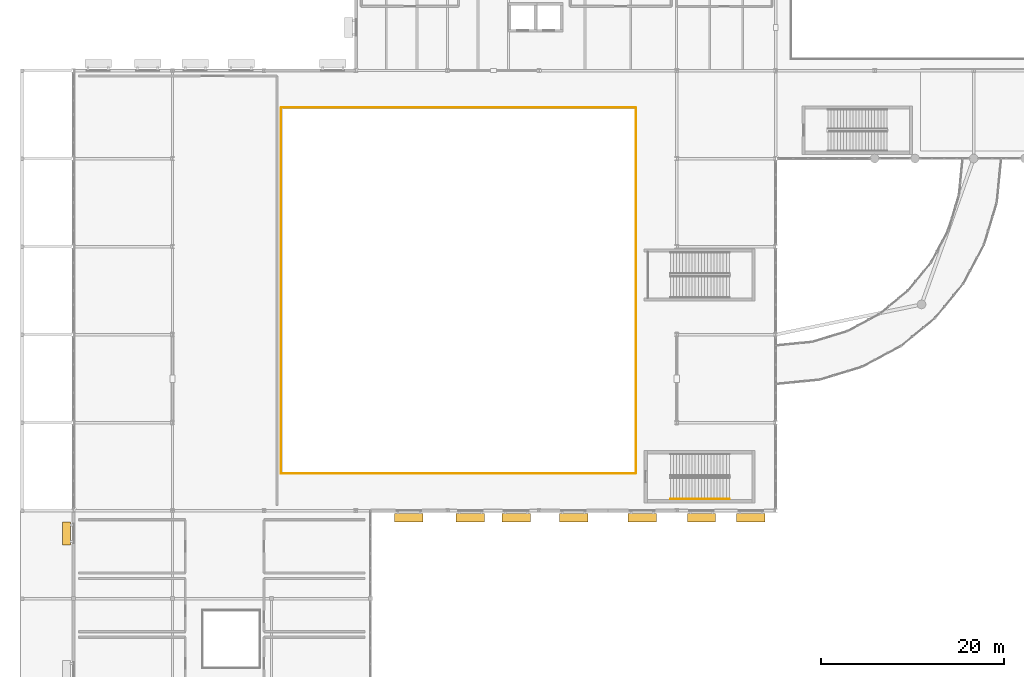
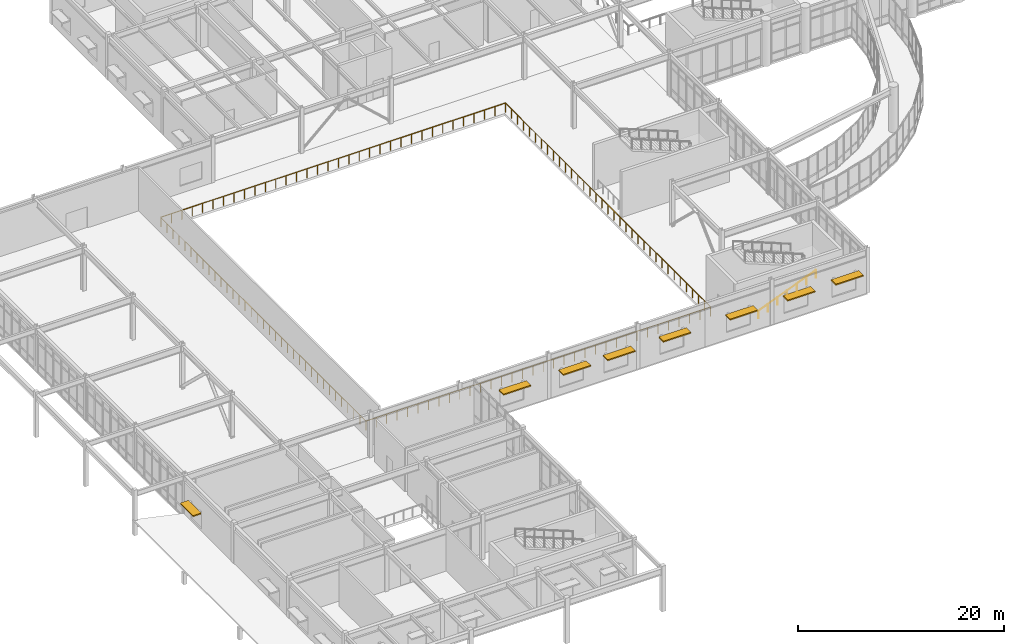
# One storey, part 63 of 72: 8 shading devices, 3 railings.
"""IFC4 building model written with IfcOpenShell, lengths in metres."""

from ifc_helpers import new_model, si_unit, direction, frame, origin, origin_2d, place, context, subcontext, project, spatial, rectangle, circle, extrude, material, type_object, element, save


model = new_model("IFC4")

# Units and contexts
model_context = context("Model", 3, precision=1e-05, world=origin(), true_north=direction((0.0, 1.0)))
body_context = subcontext(model_context, "Body", "Model", "MODEL_VIEW")
ifc_project = project(units=[si_unit("LENGTHUNIT", "METRE"), si_unit("AREAUNIT", "SQUARE_METRE"), si_unit("VOLUMEUNIT", "CUBIC_METRE"), si_unit("PLANEANGLEUNIT", "RADIAN"), si_unit("MASSUNIT", "GRAM", prefix="KILO")], contexts=[model_context])

# Site, building, storey
site_placement = place(None, origin())
site = spatial("IfcSite", under=ifc_project, at=site_placement, CompositionType="ELEMENT")
building_placement = place(site_placement, origin())
building = spatial("IfcBuilding", under=site, at=building_placement, Name="Veldera Park Congress Hotel", CompositionType="ELEMENT")
storey_placement = place(building_placement, frame((0.0, 0.0, 5.39990234375)))
storey = spatial("IfcBuildingStorey", under=building, at=storey_placement, Name="L01", CompositionType="ELEMENT", Elevation=5.39990234375)

# Railings
ifc_material_1 = material(Name="Steel ASTM A992 Gr.50", Category="steel")
railing_type_1 = type_object("IfcRailingType", Name="GRD-INT112", PredefinedType="GUARDRAIL", material=ifc_material_1)
railing_1_placement = place(storey_placement, frame((-55.550048828125, 22.909912109375, 0.0)))
element("IfcRailing", 1, at=railing_1_placement, inside=storey, type_object=railing_type_1, Name="L01 Atrium Void Guard GRD3-VOID-L01-V1-SW", PredefinedType="GUARDRAIL", context=body_context, shape_type="SweptSolid", body=[
    extrude(circle(Radius=0.02392578125, at=origin_2d()), frame((0.0, 0.0, 1.09619140625), z_axis=(0.0, -1.0, 0.0), x_axis=(1.0, 0.0, 0.0)), (0.0, 0.0, 1.0), 39.85986328125),
    extrude(circle(Radius=0.02392578125, at=origin_2d()), frame((0.0, -39.85986328125, 1.09619140625), z_axis=(1.0, 0.0, 0.0), x_axis=(0.0, 1.0, 0.0)), (0.0, 0.0, 1.0), 38.66015625),
    extrude(circle(Radius=0.02099609375, at=origin_2d()), origin(), (0.0, 0.0, 1.0), 1.072021484375),
    extrude(circle(Radius=0.02099609375, at=origin_2d()), frame((0.0, -1.17236328125, 0.0)), (0.0, 0.0, 1.0), 1.072021484375),
    extrude(circle(Radius=0.02099609375, at=origin_2d()), frame((0.0, -2.3447265625, 0.0)), (0.0, 0.0, 1.0), 1.072021484375),
    extrude(circle(Radius=0.02099609375, at=origin_2d()), frame((0.0, -3.51708984375, 0.0)), (0.0, 0.0, 1.0), 1.072021484375),
    extrude(circle(Radius=0.02099609375, at=origin_2d()), frame((0.0, -4.689453125, 0.0)), (0.0, 0.0, 1.0), 1.072021484375),
    extrude(circle(Radius=0.02099609375, at=origin_2d()), frame((0.0, -5.86181640625, 0.0)), (0.0, 0.0, 1.0), 1.072021484375),
    extrude(circle(Radius=0.02099609375, at=origin_2d()), frame((0.0, -7.0341796875, 0.0)), (0.0, 0.0, 1.0), 1.072021484375),
    extrude(circle(Radius=0.02099609375, at=origin_2d()), frame((0.0, -8.20654296875, 0.0)), (0.0, 0.0, 1.0), 1.072021484375),
    extrude(circle(Radius=0.02099609375, at=origin_2d()), frame((0.0, -9.37890625, 0.0)), (0.0, 0.0, 1.0), 1.072021484375),
    extrude(circle(Radius=0.02099609375, at=origin_2d()), frame((0.0, -10.551025390625, 0.0)), (0.0, 0.0, 1.0), 1.072021484375),
    extrude(circle(Radius=0.02099609375, at=origin_2d()), frame((0.0, -11.723388671875, 0.0)), (0.0, 0.0, 1.0), 1.072021484375),
    extrude(circle(Radius=0.02099609375, at=origin_2d()), frame((0.0, -12.895751953125, 0.0)), (0.0, 0.0, 1.0), 1.072021484375),
    extrude(circle(Radius=0.02099609375, at=origin_2d()), frame((0.0, -14.068115234375, 0.0)), (0.0, 0.0, 1.0), 1.072021484375),
    extrude(circle(Radius=0.02099609375, at=origin_2d()), frame((0.0, -15.240478515625, 0.0)), (0.0, 0.0, 1.0), 1.072021484375),
    extrude(circle(Radius=0.02099609375, at=origin_2d()), frame((0.0, -16.412841796875, 0.0)), (0.0, 0.0, 1.0), 1.072021484375),
    extrude(circle(Radius=0.02099609375, at=origin_2d()), frame((0.0, -17.585205078125, 0.0)), (0.0, 0.0, 1.0), 1.072021484375),
    extrude(circle(Radius=0.02099609375, at=origin_2d()), frame((0.0, -18.757568359375, 0.0)), (0.0, 0.0, 1.0), 1.072021484375),
    extrude(circle(Radius=0.02099609375, at=origin_2d()), frame((0.0, -19.929931640625, 0.0)), (0.0, 0.0, 1.0), 1.072021484375),
    extrude(circle(Radius=0.02099609375, at=origin_2d()), frame((0.0, -21.102294921875, 0.0)), (0.0, 0.0, 1.0), 1.072021484375),
    extrude(circle(Radius=0.02099609375, at=origin_2d()), frame((0.0, -22.274658203125, 0.0)), (0.0, 0.0, 1.0), 1.072021484375),
    extrude(circle(Radius=0.02099609375, at=origin_2d()), frame((0.0, -23.447021484375, 0.0)), (0.0, 0.0, 1.0), 1.072021484375),
    extrude(circle(Radius=0.02099609375, at=origin_2d()), frame((0.0, -24.619384765625, 0.0)), (0.0, 0.0, 1.0), 1.072021484375),
    extrude(circle(Radius=0.02099609375, at=origin_2d()), frame((0.0, -25.791748046875, 0.0)), (0.0, 0.0, 1.0), 1.072021484375),
    extrude(circle(Radius=0.02099609375, at=origin_2d()), frame((0.0, -26.964111328125, 0.0)), (0.0, 0.0, 1.0), 1.072021484375),
    extrude(circle(Radius=0.02099609375, at=origin_2d()), frame((0.0, -28.136474609375, 0.0)), (0.0, 0.0, 1.0), 1.072021484375),
    extrude(circle(Radius=0.02099609375, at=origin_2d()), frame((0.0, -29.308837890625, 0.0)), (0.0, 0.0, 1.0), 1.072021484375),
    extrude(circle(Radius=0.02099609375, at=origin_2d()), frame((0.0, -30.48095703125, 0.0)), (0.0, 0.0, 1.0), 1.072021484375),
    extrude(circle(Radius=0.02099609375, at=origin_2d()), frame((0.0, -31.6533203125, 0.0)), (0.0, 0.0, 1.0), 1.072021484375),
    extrude(circle(Radius=0.02099609375, at=origin_2d()), frame((0.0, -32.82568359375, 0.0)), (0.0, 0.0, 1.0), 1.072021484375),
    extrude(circle(Radius=0.02099609375, at=origin_2d()), frame((0.0, -33.998046875, 0.0)), (0.0, 0.0, 1.0), 1.072021484375),
    extrude(circle(Radius=0.02099609375, at=origin_2d()), frame((0.0, -35.17041015625, 0.0)), (0.0, 0.0, 1.0), 1.072021484375),
    extrude(circle(Radius=0.02099609375, at=origin_2d()), frame((0.0, -36.3427734375, 0.0)), (0.0, 0.0, 1.0), 1.072021484375),
    extrude(circle(Radius=0.02099609375, at=origin_2d()), frame((0.0, -37.51513671875, 0.0)), (0.0, 0.0, 1.0), 1.072021484375),
    extrude(circle(Radius=0.02099609375, at=origin_2d()), frame((0.0, -38.6875, 0.0)), (0.0, 0.0, 1.0), 1.072021484375),
    extrude(circle(Radius=0.02099609375, at=origin_2d()), frame((0.0, -39.85986328125, 0.0)), (0.0, 0.0, 1.0), 1.072021484375),
    extrude(circle(Radius=0.02099609375, at=origin_2d()), frame((1.171630859375, -39.85986328125, 0.0)), (0.0, 0.0, 1.0), 1.072021484375),
    extrude(circle(Radius=0.02099609375, at=origin_2d()), frame((2.343017578125, -39.85986328125, 0.0)), (0.0, 0.0, 1.0), 1.072021484375),
    extrude(circle(Radius=0.02099609375, at=origin_2d()), frame((3.5146484375, -39.85986328125, 0.0)), (0.0, 0.0, 1.0), 1.072021484375),
    extrude(circle(Radius=0.02099609375, at=origin_2d()), frame((4.68603515625, -39.85986328125, 0.0)), (0.0, 0.0, 1.0), 1.072021484375),
    extrude(circle(Radius=0.02099609375, at=origin_2d()), frame((5.857666015625, -39.85986328125, 0.0)), (0.0, 0.0, 1.0), 1.072021484375),
    extrude(circle(Radius=0.02099609375, at=origin_2d()), frame((7.029052734375, -39.85986328125, 0.0)), (0.0, 0.0, 1.0), 1.072021484375),
    extrude(circle(Radius=0.02099609375, at=origin_2d()), frame((8.20068359375, -39.85986328125, 0.0)), (0.0, 0.0, 1.0), 1.072021484375),
    extrude(circle(Radius=0.02099609375, at=origin_2d()), frame((9.3720703125, -39.85986328125, 0.0)), (0.0, 0.0, 1.0), 1.072021484375),
    extrude(circle(Radius=0.02099609375, at=origin_2d()), frame((10.543701171875, -39.85986328125, 0.0)), (0.0, 0.0, 1.0), 1.072021484375),
    extrude(circle(Radius=0.02099609375, at=origin_2d()), frame((11.715087890625, -39.85986328125, 0.0)), (0.0, 0.0, 1.0), 1.072021484375),
    extrude(circle(Radius=0.02099609375, at=origin_2d()), frame((12.88671875, -39.85986328125, 0.0)), (0.0, 0.0, 1.0), 1.072021484375),
    extrude(circle(Radius=0.02099609375, at=origin_2d()), frame((14.058349609375, -39.85986328125, 0.0)), (0.0, 0.0, 1.0), 1.072021484375),
    extrude(circle(Radius=0.02099609375, at=origin_2d()), frame((15.229736328125, -39.85986328125, 0.0)), (0.0, 0.0, 1.0), 1.072021484375),
    extrude(circle(Radius=0.02099609375, at=origin_2d()), frame((16.4013671875, -39.85986328125, 0.0)), (0.0, 0.0, 1.0), 1.072021484375),
    extrude(circle(Radius=0.02099609375, at=origin_2d()), frame((17.57275390625, -39.85986328125, 0.0)), (0.0, 0.0, 1.0), 1.072021484375),
    extrude(circle(Radius=0.02099609375, at=origin_2d()), frame((18.744384765625, -39.85986328125, 0.0)), (0.0, 0.0, 1.0), 1.072021484375),
    extrude(circle(Radius=0.02099609375, at=origin_2d()), frame((19.915771484375, -39.85986328125, 0.0)), (0.0, 0.0, 1.0), 1.072021484375),
    extrude(circle(Radius=0.02099609375, at=origin_2d()), frame((21.08740234375, -39.85986328125, 0.0)), (0.0, 0.0, 1.0), 1.072021484375),
    extrude(circle(Radius=0.02099609375, at=origin_2d()), frame((22.2587890625, -39.85986328125, 0.0)), (0.0, 0.0, 1.0), 1.072021484375),
    extrude(circle(Radius=0.02099609375, at=origin_2d()), frame((23.430419921875, -39.85986328125, 0.0)), (0.0, 0.0, 1.0), 1.072021484375),
    extrude(circle(Radius=0.02099609375, at=origin_2d()), frame((24.601806640625, -39.85986328125, 0.0)), (0.0, 0.0, 1.0), 1.072021484375),
    extrude(circle(Radius=0.02099609375, at=origin_2d()), frame((25.7734375, -39.85986328125, 0.0)), (0.0, 0.0, 1.0), 1.072021484375),
    extrude(circle(Radius=0.02099609375, at=origin_2d()), frame((26.945068359375, -39.85986328125, 0.0)), (0.0, 0.0, 1.0), 1.072021484375),
    extrude(circle(Radius=0.02099609375, at=origin_2d()), frame((28.116455078125, -39.85986328125, 0.0)), (0.0, 0.0, 1.0), 1.072021484375),
    extrude(circle(Radius=0.02099609375, at=origin_2d()), frame((29.2880859375, -39.85986328125, 0.0)), (0.0, 0.0, 1.0), 1.072021484375),
    extrude(circle(Radius=0.02099609375, at=origin_2d()), frame((30.45947265625, -39.85986328125, 0.0)), (0.0, 0.0, 1.0), 1.072021484375),
    extrude(circle(Radius=0.02099609375, at=origin_2d()), frame((31.631103515625, -39.85986328125, 0.0)), (0.0, 0.0, 1.0), 1.072021484375),
    extrude(circle(Radius=0.02099609375, at=origin_2d()), frame((32.802490234375, -39.85986328125, 0.0)), (0.0, 0.0, 1.0), 1.072021484375),
    extrude(circle(Radius=0.02099609375, at=origin_2d()), frame((33.97412109375, -39.85986328125, 0.0)), (0.0, 0.0, 1.0), 1.072021484375),
    extrude(circle(Radius=0.02099609375, at=origin_2d()), frame((35.1455078125, -39.85986328125, 0.0)), (0.0, 0.0, 1.0), 1.072021484375),
    extrude(circle(Radius=0.02099609375, at=origin_2d()), frame((36.317138671875, -39.85986328125, 0.0)), (0.0, 0.0, 1.0), 1.072021484375),
    extrude(circle(Radius=0.02099609375, at=origin_2d()), frame((37.488525390625, -39.85986328125, 0.0)), (0.0, 0.0, 1.0), 1.072021484375),
    extrude(circle(Radius=0.02099609375, at=origin_2d()), frame((38.66015625, -39.85986328125, 0.0)), (0.0, 0.0, 1.0), 1.072021484375),
])
railing_2_placement = place(storey_placement, frame((-16.85009765625, -16.909912109375, 0.0)))
element("IfcRailing", 2, at=railing_2_placement, inside=storey, type_object=railing_type_1, Name="L01 Atrium Void Guard GRD3-VOID-L01-V1-NE", PredefinedType="GUARDRAIL", context=body_context, shape_type="SweptSolid", body=[
    extrude(circle(Radius=0.02392578125, at=origin_2d()), frame((0.0, 0.0, 1.09619140625), z_axis=(0.0, 1.0, 0.0), x_axis=(-1.0, 0.0, 0.0)), (0.0, 0.0, 1.0), 39.85986328125),
    extrude(circle(Radius=0.02392578125, at=origin_2d()), frame((0.0, 39.85986328125, 1.09619140625), z_axis=(-1.0, 0.0, 0.0), x_axis=(0.0, -1.0, 0.0)), (0.0, 0.0, 1.0), 38.659912109375),
    extrude(circle(Radius=0.02099609375, at=origin_2d()), origin(), (0.0, 0.0, 1.0), 1.072021484375),
    extrude(circle(Radius=0.02099609375, at=origin_2d()), frame((0.0, 1.17236328125, 0.0)), (0.0, 0.0, 1.0), 1.072021484375),
    extrude(circle(Radius=0.02099609375, at=origin_2d()), frame((0.0, 2.3447265625, 0.0)), (0.0, 0.0, 1.0), 1.072021484375),
    extrude(circle(Radius=0.02099609375, at=origin_2d()), frame((0.0, 3.51708984375, 0.0)), (0.0, 0.0, 1.0), 1.072021484375),
    extrude(circle(Radius=0.02099609375, at=origin_2d()), frame((0.0, 4.689453125, 0.0)), (0.0, 0.0, 1.0), 1.072021484375),
    extrude(circle(Radius=0.02099609375, at=origin_2d()), frame((0.0, 5.86181640625, 0.0)), (0.0, 0.0, 1.0), 1.072021484375),
    extrude(circle(Radius=0.02099609375, at=origin_2d()), frame((0.0, 7.0341796875, 0.0)), (0.0, 0.0, 1.0), 1.072021484375),
    extrude(circle(Radius=0.02099609375, at=origin_2d()), frame((0.0, 8.20654296875, 0.0)), (0.0, 0.0, 1.0), 1.072021484375),
    extrude(circle(Radius=0.02099609375, at=origin_2d()), frame((0.0, 9.37890625, 0.0)), (0.0, 0.0, 1.0), 1.072021484375),
    extrude(circle(Radius=0.02099609375, at=origin_2d()), frame((0.0, 10.551025390625, 0.0)), (0.0, 0.0, 1.0), 1.072021484375),
    extrude(circle(Radius=0.02099609375, at=origin_2d()), frame((0.0, 11.723388671875, 0.0)), (0.0, 0.0, 1.0), 1.072021484375),
    extrude(circle(Radius=0.02099609375, at=origin_2d()), frame((0.0, 12.895751953125, 0.0)), (0.0, 0.0, 1.0), 1.072021484375),
    extrude(circle(Radius=0.02099609375, at=origin_2d()), frame((0.0, 14.068115234375, 0.0)), (0.0, 0.0, 1.0), 1.072021484375),
    extrude(circle(Radius=0.02099609375, at=origin_2d()), frame((0.0, 15.240478515625, 0.0)), (0.0, 0.0, 1.0), 1.072021484375),
    extrude(circle(Radius=0.02099609375, at=origin_2d()), frame((0.0, 16.412841796875, 0.0)), (0.0, 0.0, 1.0), 1.072021484375),
    extrude(circle(Radius=0.02099609375, at=origin_2d()), frame((0.0, 17.585205078125, 0.0)), (0.0, 0.0, 1.0), 1.072021484375),
    extrude(circle(Radius=0.02099609375, at=origin_2d()), frame((0.0, 18.757568359375, 0.0)), (0.0, 0.0, 1.0), 1.072021484375),
    extrude(circle(Radius=0.02099609375, at=origin_2d()), frame((0.0, 19.929931640625, 0.0)), (0.0, 0.0, 1.0), 1.072021484375),
    extrude(circle(Radius=0.02099609375, at=origin_2d()), frame((0.0, 21.102294921875, 0.0)), (0.0, 0.0, 1.0), 1.072021484375),
    extrude(circle(Radius=0.02099609375, at=origin_2d()), frame((0.0, 22.274658203125, 0.0)), (0.0, 0.0, 1.0), 1.072021484375),
    extrude(circle(Radius=0.02099609375, at=origin_2d()), frame((0.0, 23.447021484375, 0.0)), (0.0, 0.0, 1.0), 1.072021484375),
    extrude(circle(Radius=0.02099609375, at=origin_2d()), frame((0.0, 24.619384765625, 0.0)), (0.0, 0.0, 1.0), 1.072021484375),
    extrude(circle(Radius=0.02099609375, at=origin_2d()), frame((0.0, 25.791748046875, 0.0)), (0.0, 0.0, 1.0), 1.072021484375),
    extrude(circle(Radius=0.02099609375, at=origin_2d()), frame((0.0, 26.964111328125, 0.0)), (0.0, 0.0, 1.0), 1.072021484375),
    extrude(circle(Radius=0.02099609375, at=origin_2d()), frame((0.0, 28.136474609375, 0.0)), (0.0, 0.0, 1.0), 1.072021484375),
    extrude(circle(Radius=0.02099609375, at=origin_2d()), frame((0.0, 29.308837890625, 0.0)), (0.0, 0.0, 1.0), 1.072021484375),
    extrude(circle(Radius=0.02099609375, at=origin_2d()), frame((0.0, 30.48095703125, 0.0)), (0.0, 0.0, 1.0), 1.072021484375),
    extrude(circle(Radius=0.02099609375, at=origin_2d()), frame((0.0, 31.6533203125, 0.0)), (0.0, 0.0, 1.0), 1.072021484375),
    extrude(circle(Radius=0.02099609375, at=origin_2d()), frame((0.0, 32.82568359375, 0.0)), (0.0, 0.0, 1.0), 1.072021484375),
    extrude(circle(Radius=0.02099609375, at=origin_2d()), frame((0.0, 33.998046875, 0.0)), (0.0, 0.0, 1.0), 1.072021484375),
    extrude(circle(Radius=0.02099609375, at=origin_2d()), frame((0.0, 35.17041015625, 0.0)), (0.0, 0.0, 1.0), 1.072021484375),
    extrude(circle(Radius=0.02099609375, at=origin_2d()), frame((0.0, 36.3427734375, 0.0)), (0.0, 0.0, 1.0), 1.072021484375),
    extrude(circle(Radius=0.02099609375, at=origin_2d()), frame((0.0, 37.51513671875, 0.0)), (0.0, 0.0, 1.0), 1.072021484375),
    extrude(circle(Radius=0.02099609375, at=origin_2d()), frame((0.0, 38.6875, 0.0)), (0.0, 0.0, 1.0), 1.072021484375),
    extrude(circle(Radius=0.02099609375, at=origin_2d()), frame((0.0, 39.85986328125, 0.0)), (0.0, 0.0, 1.0), 1.072021484375),
    extrude(circle(Radius=0.02099609375, at=origin_2d()), frame((-1.171630859375, 39.85986328125, 0.0)), (0.0, 0.0, 1.0), 1.072021484375),
    extrude(circle(Radius=0.02099609375, at=origin_2d()), frame((-2.343017578125, 39.85986328125, 0.0)), (0.0, 0.0, 1.0), 1.072021484375),
    extrude(circle(Radius=0.02099609375, at=origin_2d()), frame((-3.5146484375, 39.85986328125, 0.0)), (0.0, 0.0, 1.0), 1.072021484375),
    extrude(circle(Radius=0.02099609375, at=origin_2d()), frame((-4.68603515625, 39.85986328125, 0.0)), (0.0, 0.0, 1.0), 1.072021484375),
    extrude(circle(Radius=0.02099609375, at=origin_2d()), frame((-5.857666015625, 39.85986328125, 0.0)), (0.0, 0.0, 1.0), 1.072021484375),
    extrude(circle(Radius=0.02099609375, at=origin_2d()), frame((-7.029052734375, 39.85986328125, 0.0)), (0.0, 0.0, 1.0), 1.072021484375),
    extrude(circle(Radius=0.02099609375, at=origin_2d()), frame((-8.20068359375, 39.85986328125, 0.0)), (0.0, 0.0, 1.0), 1.072021484375),
    extrude(circle(Radius=0.02099609375, at=origin_2d()), frame((-9.3720703125, 39.85986328125, 0.0)), (0.0, 0.0, 1.0), 1.072021484375),
    extrude(circle(Radius=0.02099609375, at=origin_2d()), frame((-10.543701171875, 39.85986328125, 0.0)), (0.0, 0.0, 1.0), 1.072021484375),
    extrude(circle(Radius=0.02099609375, at=origin_2d()), frame((-11.715087890625, 39.85986328125, 0.0)), (0.0, 0.0, 1.0), 1.072021484375),
    extrude(circle(Radius=0.02099609375, at=origin_2d()), frame((-12.88671875, 39.85986328125, 0.0)), (0.0, 0.0, 1.0), 1.072021484375),
    extrude(circle(Radius=0.02099609375, at=origin_2d()), frame((-14.05810546875, 39.85986328125, 0.0)), (0.0, 0.0, 1.0), 1.072021484375),
    extrude(circle(Radius=0.02099609375, at=origin_2d()), frame((-15.229736328125, 39.85986328125, 0.0)), (0.0, 0.0, 1.0), 1.072021484375),
    extrude(circle(Radius=0.02099609375, at=origin_2d()), frame((-16.401123046875, 39.85986328125, 0.0)), (0.0, 0.0, 1.0), 1.072021484375),
    extrude(circle(Radius=0.02099609375, at=origin_2d()), frame((-17.57275390625, 39.85986328125, 0.0)), (0.0, 0.0, 1.0), 1.072021484375),
    extrude(circle(Radius=0.02099609375, at=origin_2d()), frame((-18.744140625, 39.85986328125, 0.0)), (0.0, 0.0, 1.0), 1.072021484375),
    extrude(circle(Radius=0.02099609375, at=origin_2d()), frame((-19.915771484375, 39.85986328125, 0.0)), (0.0, 0.0, 1.0), 1.072021484375),
    extrude(circle(Radius=0.02099609375, at=origin_2d()), frame((-21.087158203125, 39.85986328125, 0.0)), (0.0, 0.0, 1.0), 1.072021484375),
    extrude(circle(Radius=0.02099609375, at=origin_2d()), frame((-22.2587890625, 39.85986328125, 0.0)), (0.0, 0.0, 1.0), 1.072021484375),
    extrude(circle(Radius=0.02099609375, at=origin_2d()), frame((-23.43017578125, 39.85986328125, 0.0)), (0.0, 0.0, 1.0), 1.072021484375),
    extrude(circle(Radius=0.02099609375, at=origin_2d()), frame((-24.601806640625, 39.85986328125, 0.0)), (0.0, 0.0, 1.0), 1.072021484375),
    extrude(circle(Radius=0.02099609375, at=origin_2d()), frame((-25.773193359375, 39.85986328125, 0.0)), (0.0, 0.0, 1.0), 1.072021484375),
    extrude(circle(Radius=0.02099609375, at=origin_2d()), frame((-26.94482421875, 39.85986328125, 0.0)), (0.0, 0.0, 1.0), 1.072021484375),
    extrude(circle(Radius=0.02099609375, at=origin_2d()), frame((-28.1162109375, 39.85986328125, 0.0)), (0.0, 0.0, 1.0), 1.072021484375),
    extrude(circle(Radius=0.02099609375, at=origin_2d()), frame((-29.287841796875, 39.85986328125, 0.0)), (0.0, 0.0, 1.0), 1.072021484375),
    extrude(circle(Radius=0.02099609375, at=origin_2d()), frame((-30.459228515625, 39.85986328125, 0.0)), (0.0, 0.0, 1.0), 1.072021484375),
    extrude(circle(Radius=0.02099609375, at=origin_2d()), frame((-31.630859375, 39.85986328125, 0.0)), (0.0, 0.0, 1.0), 1.072021484375),
    extrude(circle(Radius=0.02099609375, at=origin_2d()), frame((-32.80224609375, 39.85986328125, 0.0)), (0.0, 0.0, 1.0), 1.072021484375),
    extrude(circle(Radius=0.02099609375, at=origin_2d()), frame((-33.973876953125, 39.85986328125, 0.0)), (0.0, 0.0, 1.0), 1.072021484375),
    extrude(circle(Radius=0.02099609375, at=origin_2d()), frame((-35.145263671875, 39.85986328125, 0.0)), (0.0, 0.0, 1.0), 1.072021484375),
    extrude(circle(Radius=0.02099609375, at=origin_2d()), frame((-36.31689453125, 39.85986328125, 0.0)), (0.0, 0.0, 1.0), 1.072021484375),
    extrude(circle(Radius=0.02099609375, at=origin_2d()), frame((-37.48828125, 39.85986328125, 0.0)), (0.0, 0.0, 1.0), 1.072021484375),
    extrude(circle(Radius=0.02099609375, at=origin_2d()), frame((-38.659912109375, 39.85986328125, 0.0)), (0.0, 0.0, 1.0), 1.072021484375),
])
railing_type_2 = type_object("IfcRailingType", Name="HRL-920", PredefinedType="HANDRAIL", material=ifc_material_1)
railing_3_placement = place(storey_placement, frame((-13.10009765625, -19.75, 0.135009765625)))
element("IfcRailing", 3, at=railing_3_placement, inside=storey, type_object=railing_type_2, Name="L01 ST5 stair handrail 1", PredefinedType="HANDRAIL", context=body_context, shape_type="SweptSolid", body=[
    extrude(circle(Radius=0.02392578125, at=origin_2d()), frame((0.0, 0.0, 0.89599609375), z_axis=(0.929411175501, 0.0, 0.369045887192), x_axis=(0.0, 1.0, 0.0)), (0.0, 0.0, 1.0), 6.950927734375),
    extrude(circle(Radius=0.02099609375, at=origin_2d()), origin(), (0.0, 0.0, 1.0), 0.871826171875),
    extrude(circle(Radius=0.02099609375, at=origin_2d()), frame((1.07666015625, 0.0, 0.427490234375)), (0.0, 0.0, 1.0), 0.871826171875),
    extrude(circle(Radius=0.02099609375, at=origin_2d()), frame((2.1533203125, 0.0, 0.85498046875)), (0.0, 0.0, 1.0), 0.871826171875),
    extrude(circle(Radius=0.02099609375, at=origin_2d()), frame((3.22998046875, 0.0, 1.28271484375)), (0.0, 0.0, 1.0), 0.871826171875),
    extrude(circle(Radius=0.02099609375, at=origin_2d()), frame((4.306884765625, 0.0, 1.710205078125)), (0.0, 0.0, 1.0), 0.871826171875),
    extrude(circle(Radius=0.02099609375, at=origin_2d()), frame((5.383544921875, 0.0, 2.1376953125)), (0.0, 0.0, 1.0), 0.871826171875),
    extrude(circle(Radius=0.02099609375, at=origin_2d()), frame((6.460205078125, 0.0, 2.565185546875)), (0.0, 0.0, 1.0), 0.871826171875),
])

# Shading devices
ifc_material_2 = material(Name="Glulam GL28h (NDS 24F-V4)", Category="wood")
shading_device_type = type_object("IfcShadingDeviceType", Name="SHD-SHF450", PredefinedType="AWNING", material=ifc_material_2)
for number, where, z_axis, x_axis, name in (
    (4, (-41.603759765625, -21.7900390625, 3.01025390625), (0.0, 0.0, 1.0), (1.0, 0.0, 0.0), "Glulam Solar Shade 32"),
    (5, (-34.896240234375, -21.7900390625, 3.01025390625), (0.0, 0.0, 1.0), (1.0, 0.0, 0.0), "Glulam Solar Shade 33"),
    (6, (-29.90380859375, -21.7900390625, 3.01025390625), (0.0, 0.0, 1.0), (1.0, 0.0, 0.0), "Glulam Solar Shade 34"),
    (7, (-23.64599609375, -21.7900390625, 3.01025390625), (0.0, 0.0, 1.0), (1.0, 0.0, 0.0), "Glulam Solar Shade 35"),
    (8, (-16.156982421875, -21.7900390625, 3.01025390625), (0.0, 0.0, 1.0), (1.0, 0.0, 0.0), "Glulam Solar Shade 36"),
    (9, (-9.69384765625, -21.7900390625, 3.01025390625), (0.0, 0.0, 1.0), (1.0, 0.0, 0.0), "Glulam Solar Shade 37"),
    (10, (-4.302490234375, -21.7900390625, 3.01025390625), (0.0, 0.0, 1.0), (1.0, 0.0, 0.0), "Glulam Solar Shade 38"),
):
    element("IfcShadingDevice", number, at=place(storey_placement, frame(where, z_axis=z_axis, x_axis=x_axis)), inside=storey, type_object=shading_device_type, Name=name, PredefinedType="AWNING", context=body_context, shape_type="SweptSolid", body=[
        extrude(rectangle(XDim=3.10009765625, YDim=0.89990234375, at=origin_2d()), origin(), (0.0, 0.0, 1.0), 0.139892578125),
    ])
shading_device_placement = place(storey_placement, frame((-78.969970703125, -23.4833984375, 2.81005859375), z_axis=(0.0, 0.0, 1.0), x_axis=(0.0, -1.0, 0.0)))
element("IfcShadingDevice", 11, at=shading_device_placement, inside=storey, type_object=shading_device_type, Name="Glulam Solar Shade 50", PredefinedType="AWNING", context=body_context, shape_type="SweptSolid", body=[
    extrude(rectangle(XDim=2.5, YDim=0.89990234375, at=origin_2d()), origin(), (0.0, 0.0, 1.0), 0.139892578125),
])

save(model, "model.ifc")
